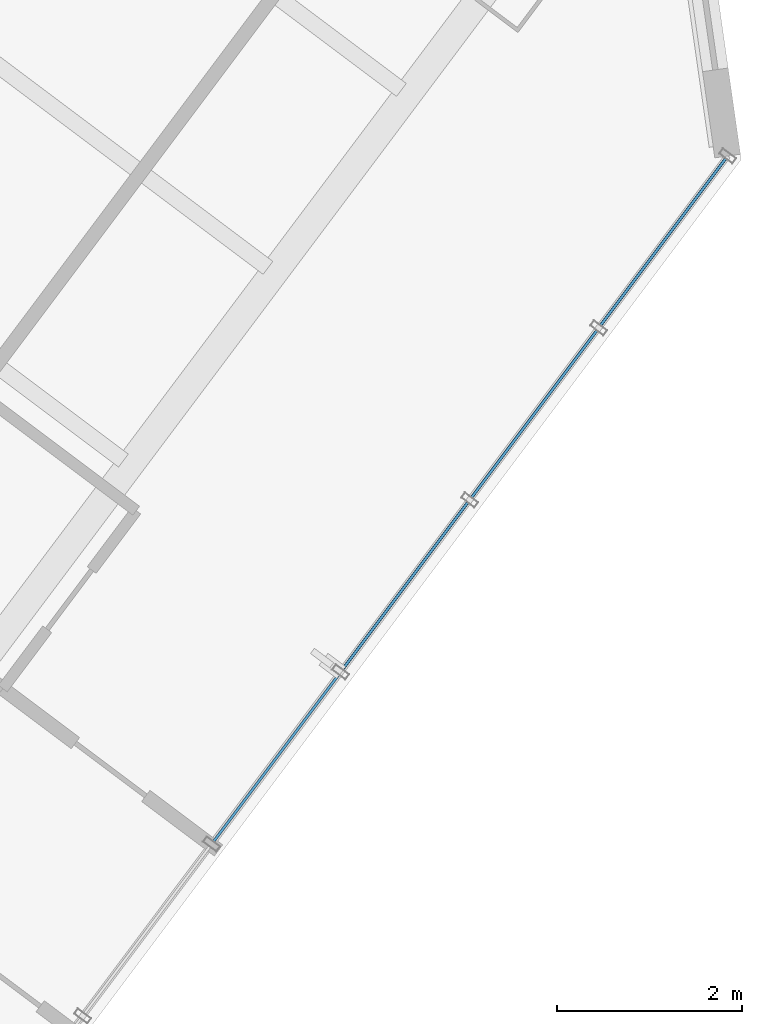
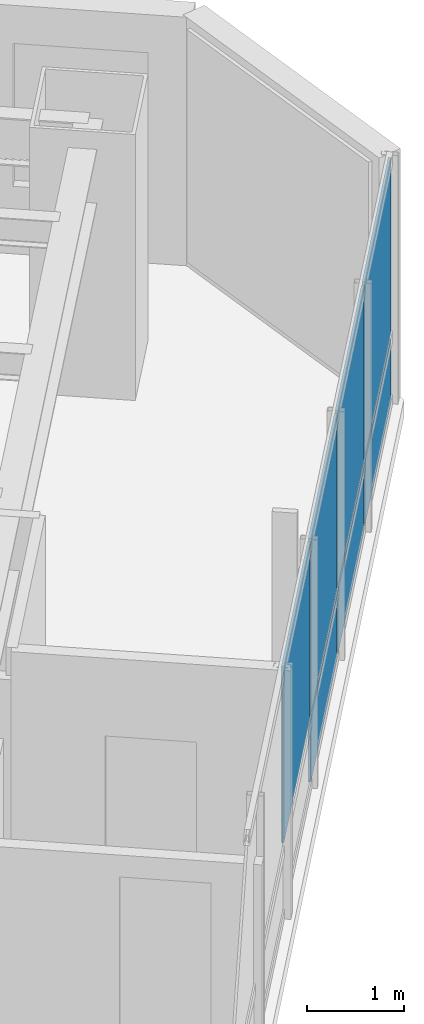
# One storey, part 21 of 37: 7 plates, 1 element without a shape of its own.
"""IFC4 building model written with IfcOpenShell, lengths in metres."""

import ifcopenshell
import ifcopenshell.guid

model = None  # the IFC model being written
_history = None  # IfcOwnerHistory: only IFC2X3 demands one
_inside = {}  # id of a spatial element -> (the spatial element, [elements in it])
_under = {}  # id of a project, library or spatial element -> (it, [spatial elements below it])
_declared = {}  # id of a project -> (the project, [libraries it declares])
_typed = {}  # id of a type object -> (the type object, [elements of that type])
_made_of = {}  # id of a material, layer set ... -> (it, [elements and type objects made of it])


def new_model(schema):
    """Start an empty IFC model of exactly this schema.

    Asked for "IFC4X3", IfcOpenShell would pick the latest addendum, in which some entities
    have other attributes; the version numbers below select the first issue.
    IFC2X3 requires an IfcOwnerHistory on every rooted entity: one is made here for all.
    """
    global model, _history
    if schema == "IFC4X3":
        model = ifcopenshell.file(schema_version=(4, 3, 0, 0))
    else:
        model = ifcopenshell.file(schema=schema)
    _inside.clear()
    _under.clear()
    _declared.clear()
    _typed.clear()
    _made_of.clear()
    _history = None
    if model.schema == "IFC2X3":
        org = make("IfcOrganization", Name="unknown")
        user = make(
            "IfcPersonAndOrganization",
            ThePerson=make("IfcPerson", FamilyName="unknown"),
            TheOrganization=org,
        )
        app = make(
            "IfcApplication",
            ApplicationDeveloper=org,
            Version="unknown",
            ApplicationFullName="unknown",
            ApplicationIdentifier="unknown",
        )
        _history = make(
            "IfcOwnerHistory",
            OwningUser=user,
            OwningApplication=app,
            ChangeAction="ADDED",
            CreationDate=0,
        )
    return model


def make(cls, **values):
    """One entity of the class cls with the attributes given. An attribute that is None is left unset."""
    return model.create_entity(
        cls, **{name: value for name, value in values.items() if value is not None}
    )


def rooted(cls, **values):
    """An entity with a GlobalId (a new one), such as an element, a storey or a relation."""
    return make(cls, GlobalId=ifcopenshell.guid.new(), OwnerHistory=_history, **values)


def si_unit(unit_type, name, prefix=None):
    """IfcSIUnit, for example si_unit("LENGTHUNIT", "METRE", prefix="MILLI")."""
    return make("IfcSIUnit", UnitType=unit_type, Prefix=prefix, Name=name)


def assignment(units):
    """IfcUnitAssignment: the units of a project."""
    return None if units is None else make("IfcUnitAssignment", Units=units)


def point(xyz):
    """IfcCartesianPoint."""
    return None if xyz is None else make("IfcCartesianPoint", Coordinates=xyz)


def direction(xyz):
    """IfcDirection."""
    return None if xyz is None else make("IfcDirection", DirectionRatios=xyz)


def frame(location, z_axis=None, x_axis=None):
    """IfcAxis2Placement3D, a coordinate frame: its origin and axes. An axis left out is left unset."""
    return make(
        "IfcAxis2Placement3D",
        Location=point(location),
        Axis=direction(z_axis),
        RefDirection=direction(x_axis),
    )


def frame_2d(location, x_axis=None):
    """IfcAxis2Placement2D, a coordinate frame in the plane: its origin and x axis."""
    return make(
        "IfcAxis2Placement2D", Location=point(location), RefDirection=direction(x_axis)
    )


def origin():
    """The frame at (0, 0, 0) with its axes left unset."""
    return frame((0.0, 0.0, 0.0))


def origin_2d():
    """The frame at (0, 0) in the plane with its x axis left unset."""
    return frame_2d((0.0, 0.0))


def place(relative_to, where):
    """IfcLocalPlacement: puts the frame where relative to a parent placement (None: the world)."""
    return make(
        "IfcLocalPlacement", PlacementRelTo=relative_to, RelativePlacement=where
    )


def context(
    kind, dimensions, precision=None, world=None, true_north=None, identifier=None
):
    """IfcGeometricRepresentationContext, for example the 3D "Model" context."""
    return make(
        "IfcGeometricRepresentationContext",
        ContextIdentifier=identifier,
        ContextType=kind,
        CoordinateSpaceDimension=dimensions,
        Precision=precision,
        WorldCoordinateSystem=world,
        TrueNorth=true_north,
    )


def subcontext(parent, identifier, kind, view, scale=None):
    """IfcGeometricRepresentationSubContext, for example "Body" below "Model"."""
    return make(
        "IfcGeometricRepresentationSubContext",
        ContextIdentifier=identifier,
        ContextType=kind,
        ParentContext=parent,
        TargetScale=scale,
        TargetView=view,
    )


def project(units=None, contexts=None):
    """IfcProject with its units and contexts."""
    return rooted(
        "IfcProject",
        Name="project",
        RepresentationContexts=contexts,
        UnitsInContext=assignment(units),
    )


def spatial(cls, under=None, at=None, **own):
    """A site, building, storey or space (cls), placed at a placement, below another one or the project."""
    s = rooted(cls, ObjectPlacement=at, **own)
    if under is not None:
        _under.setdefault(under.id(), (under, []))[1].append(s)
    return s


def profile(cls, at=None, kind="AREA", **sizes):
    """A parametric profile (cls). Its sizes go by their IFC names, for example OverallWidth=200.0."""
    return make(cls, ProfileType=kind, Position=at, **sizes)


def rectangle(**sizes):
    """IfcRectangleProfileDef."""
    return profile("IfcRectangleProfileDef", **sizes)


def extrude(swept, where, along, depth):
    """IfcExtrudedAreaSolid: the profile swept, set in the frame where, extruded along a direction by depth."""
    return make(
        "IfcExtrudedAreaSolid",
        SweptArea=swept,
        Position=where,
        ExtrudedDirection=direction(along),
        Depth=depth,
    )


def shape(context_of_items, identifier, shape_type, items):
    """IfcShapeRepresentation: the items that make up one representation, for example the "Body"."""
    return make(
        "IfcShapeRepresentation",
        ContextOfItems=context_of_items,
        RepresentationIdentifier=identifier,
        RepresentationType=shape_type,
        Items=items,
    )


def material(Name=None, Category=None):
    """IfcMaterial."""
    return make("IfcMaterial", Name=Name, Category=Category)


def layer(
    of_material, thickness, ventilated=None, Name=None, Category=None, Priority=None
):
    """IfcMaterialLayer: one layer of a wall or slab, of a material (None: an air gap)."""
    return make(
        "IfcMaterialLayer",
        Material=of_material,
        LayerThickness=thickness,
        IsVentilated=ventilated,
        Name=Name,
        Category=Category,
        Priority=Priority,
    )


def layer_set(layers, Name=None):
    """IfcMaterialLayerSet."""
    return make("IfcMaterialLayerSet", MaterialLayers=layers, LayerSetName=Name)


def made_of(thing, what):
    """Note that an element or type object is made of a material, layer set ...; save() writes the relation."""
    if what is not None:
        _made_of.setdefault(what.id(), (what, []))[1].append(thing)
    return thing


def type_object(cls, material=None, **own):
    """A type object (cls), such as IfcWallType, which elements share."""
    return made_of(rooted(cls, **own), material)


def element(
    cls,
    number,
    at=None,
    inside=None,
    cuts=None,
    type_object=None,
    material=None,
    context=None,
    identifier="Body",
    shape_type=None,
    held_by="IfcProductDefinitionShape",
    body=None,
    shapes=None,
    **own,
):
    """One element of the class cls, such as IfcWall. Its Tag is "e" and its number.

    at: its placement. inside: the storey or other place that contains it. cuts: it is an
    opening in that element (IfcRelVoidsElement). A single representation is given by context,
    identifier, shape_type and body (its items); several are given by shapes. held_by: the class
    of the entity that holds the representations. save() writes the other relations.
    """
    e = rooted(cls, Tag="e%d" % number, ObjectPlacement=at, **own)
    if body is not None:
        shapes = [shape(context, identifier, shape_type, body)]
    if shapes is not None:
        e.Representation = make(held_by, Representations=shapes)
    if inside is not None:
        _inside.setdefault(inside.id(), (inside, []))[1].append(e)
    if cuts is not None:
        rooted(
            "IfcRelVoidsElement", RelatingBuildingElement=cuts, RelatedOpeningElement=e
        )
    if type_object is not None:
        _typed.setdefault(type_object.id(), (type_object, []))[1].append(e)
    return made_of(e, material)


def aggregate(whole, parts):
    """IfcRelAggregates: a whole, such as a stair, and the parts it consists of."""
    return rooted("IfcRelAggregates", RelatingObject=whole, RelatedObjects=parts)


def save(model, path):
    """Write the relations noted so far, then the file.

    IfcRelAggregates (storeys below a building ...), IfcRelContainedInSpatialStructure (elements
    in a storey), IfcRelDefinesByType, IfcRelAssociatesMaterial and IfcRelDeclares: one each for
    every whole, place, type object, material and project.
    """
    for whole, parts in _under.values():
        aggregate(whole, parts)
    for where, things in _inside.values():
        rooted(
            "IfcRelContainedInSpatialStructure",
            RelatedElements=things,
            RelatingStructure=where,
        )
    for kind, things in _typed.values():
        rooted("IfcRelDefinesByType", RelatedObjects=things, RelatingType=kind)
    for what, things in _made_of.values():
        rooted("IfcRelAssociatesMaterial", RelatedObjects=things, RelatingMaterial=what)
    for by, libraries in _declared.values():
        rooted("IfcRelDeclares", RelatingContext=by, RelatedDefinitions=libraries)
    model.write(path)


model = new_model("IFC4")

# Units and contexts
model_context = context("Model", 3, precision=1e-05, world=origin(), true_north=direction((0.0, 1.0)))
body_context = subcontext(model_context, "Body", "Model", "MODEL_VIEW")
ifc_project = project(units=[si_unit("LENGTHUNIT", "METRE"), si_unit("AREAUNIT", "SQUARE_METRE"), si_unit("VOLUMEUNIT", "CUBIC_METRE"), si_unit("PLANEANGLEUNIT", "RADIAN"), si_unit("MASSUNIT", "GRAM", prefix="KILO")], contexts=[model_context])

# Site, building, storey
site_placement = place(None, origin())
site = spatial("IfcSite", under=ifc_project, at=site_placement, CompositionType="ELEMENT")
building_placement = place(site_placement, origin())
building = spatial("IfcBuilding", under=site, at=building_placement, Name="Hatsunagi Terrace Concourse", CompositionType="ELEMENT")
storey_placement = place(building_placement, frame((0.0, 0.0, 50.0)))
storey = spatial("IfcBuildingStorey", under=building, at=storey_placement, Name="L12", CompositionType="ELEMENT", Elevation=50.0)

# Curtain wall, plates
ifc_material_1 = material(Name="Anodised Aluminium Alloy 6063-T5", Category="aluminium")
ifc_layer_1 = layer(ifc_material_1, 0.199951171875)
ifc_layer_set_1 = layer_set([ifc_layer_1], Name="HotelFacade_CW02")
curtain_wall_type = type_object("IfcCurtainWallType", Name="HotelFacade_CW02", PredefinedType="NOTDEFINED", material=ifc_layer_set_1)
curtain_wall_placement = place(storey_placement, origin())
curtain_wall = element("IfcCurtainWall", 1, at=curtain_wall_placement, inside=storey, type_object=curtain_wall_type, Name="Unitised Curtain Wall CW-02 CW-L12-03", PredefinedType="NOTDEFINED")
ifc_material_2 = material(Name="Warm Terracotta Ceramic Spandrel Panel", Category="masonry")
ifc_layer_2 = layer(ifc_material_2, 0.031982421875)
ifc_layer_set_2 = layer_set([ifc_layer_2], Name="CurtainWallSpandrelPanel_32")
plate_type_1 = type_object("IfcPlateType", Name="CurtainWallSpandrelPanel_32", PredefinedType="SHEET", material=ifc_layer_set_2)
plate_1_placement = place(storey_placement, frame((68.39697265625, 18.72998046875, 0.030029296875), z_axis=(0.0, 0.0, 1.0), x_axis=(-0.599969314634, -0.800023013105, 0.0)))
plate_1 = element("IfcPlate", 2, at=plate_1_placement, type_object=plate_type_1, Name="Terracotta Spandrel Panel SPN-01", PredefinedType="SHEET", context=body_context, shape_type="SweptSolid", body=[
    extrude(rectangle(XDim=2.264892578125, YDim=0.031982421875, at=origin_2d()), origin(), (0.0, 0.0, 1.0), 0.7900390625),
])
plate_2_placement = place(storey_placement, frame((67.0048828125, 16.873046875, 0.030029296875), z_axis=(0.0, 0.0, 1.0), x_axis=(-0.599969314634, -0.800023013105, 0.0)))
plate_2 = element("IfcPlate", 3, at=plate_2_placement, type_object=plate_type_1, Name="Terracotta Spandrel Panel SPN-01", PredefinedType="SHEET", context=body_context, shape_type="SweptSolid", body=[
    extrude(rectangle(XDim=2.264892578125, YDim=0.031982421875, at=origin_2d()), origin(), (0.0, 0.0, 1.0), 0.7900390625),
])
plate_3_placement = place(storey_placement, frame((65.612060546875, 15.01708984375, 0.030029296875), z_axis=(0.0, 0.0, 1.0), x_axis=(-0.599969314634, -0.800023013105, 0.0)))
plate_3 = element("IfcPlate", 4, at=plate_3_placement, type_object=plate_type_1, Name="Terracotta Spandrel Panel SPN-01", PredefinedType="SHEET", context=body_context, shape_type="SweptSolid", body=[
    extrude(rectangle(XDim=2.264892578125, YDim=0.031982421875, at=origin_2d()), origin(), (0.0, 0.0, 1.0), 0.7900390625),
])
ifc_material_3 = material(Name="Low-E Double Insulating Glass 28mm", Category="glass")
ifc_layer_3 = layer(ifc_material_3, 0.028076171875)
ifc_layer_set_3 = layer_set([ifc_layer_3], Name="CurtainWallVisionGlass_28")
plate_type_2 = type_object("IfcPlateType", Name="CurtainWallVisionGlass_28", PredefinedType="CURTAIN_PANEL", material=ifc_layer_set_3)
plate_4_placement = place(storey_placement, frame((68.39697265625, 18.72998046875, 0.8798828125), z_axis=(0.0, 0.0, 1.0), x_axis=(-0.599969314634, -0.800023013105, 0.0)))
plate_4 = element("IfcPlate", 5, at=plate_4_placement, type_object=plate_type_2, Name="Low-E Vision Glass Panel GLZ-01", PredefinedType="CURTAIN_PANEL", context=body_context, shape_type="SweptSolid", body=[
    extrude(rectangle(XDim=2.264892578125, YDim=0.028076171875, at=origin_2d()), origin(), (0.0, 0.0, 1.0), 2.219970703125),
])
plate_5_placement = place(storey_placement, frame((67.0048828125, 16.873046875, 0.8798828125), z_axis=(0.0, 0.0, 1.0), x_axis=(-0.599969314634, -0.800023013105, 0.0)))
plate_5 = element("IfcPlate", 6, at=plate_5_placement, type_object=plate_type_2, Name="Low-E Vision Glass Panel GLZ-01", PredefinedType="CURTAIN_PANEL", context=body_context, shape_type="SweptSolid", body=[
    extrude(rectangle(XDim=2.264892578125, YDim=0.028076171875, at=origin_2d()), origin(), (0.0, 0.0, 1.0), 2.219970703125),
])
plate_6_placement = place(storey_placement, frame((65.612060546875, 15.01708984375, 0.8798828125), z_axis=(0.0, 0.0, 1.0), x_axis=(-0.599969314634, -0.800023013105, 0.0)))
plate_6 = element("IfcPlate", 7, at=plate_6_placement, type_object=plate_type_2, Name="Low-E Vision Glass Panel GLZ-01", PredefinedType="CURTAIN_PANEL", context=body_context, shape_type="SweptSolid", body=[
    extrude(rectangle(XDim=2.264892578125, YDim=0.028076171875, at=origin_2d()), origin(), (0.0, 0.0, 1.0), 2.219970703125),
])
plate_7_placement = place(storey_placement, frame((64.219970703125, 13.159912109375, 0.8798828125), z_axis=(0.0, 0.0, 1.0), x_axis=(-0.599969314634, -0.800023013105, 0.0)))
plate_7 = element("IfcPlate", 8, at=plate_7_placement, type_object=plate_type_2, Name="Low-E Vision Glass Panel GLZ-01", PredefinedType="CURTAIN_PANEL", context=body_context, shape_type="SweptSolid", body=[
    extrude(rectangle(XDim=2.264892578125, YDim=0.028076171875, at=origin_2d()), origin(), (0.0, 0.0, 1.0), 2.219970703125),
])
aggregate(curtain_wall, [plate_1, plate_4, plate_2, plate_5, plate_3, plate_6, plate_7])

save(model, "model.ifc")
